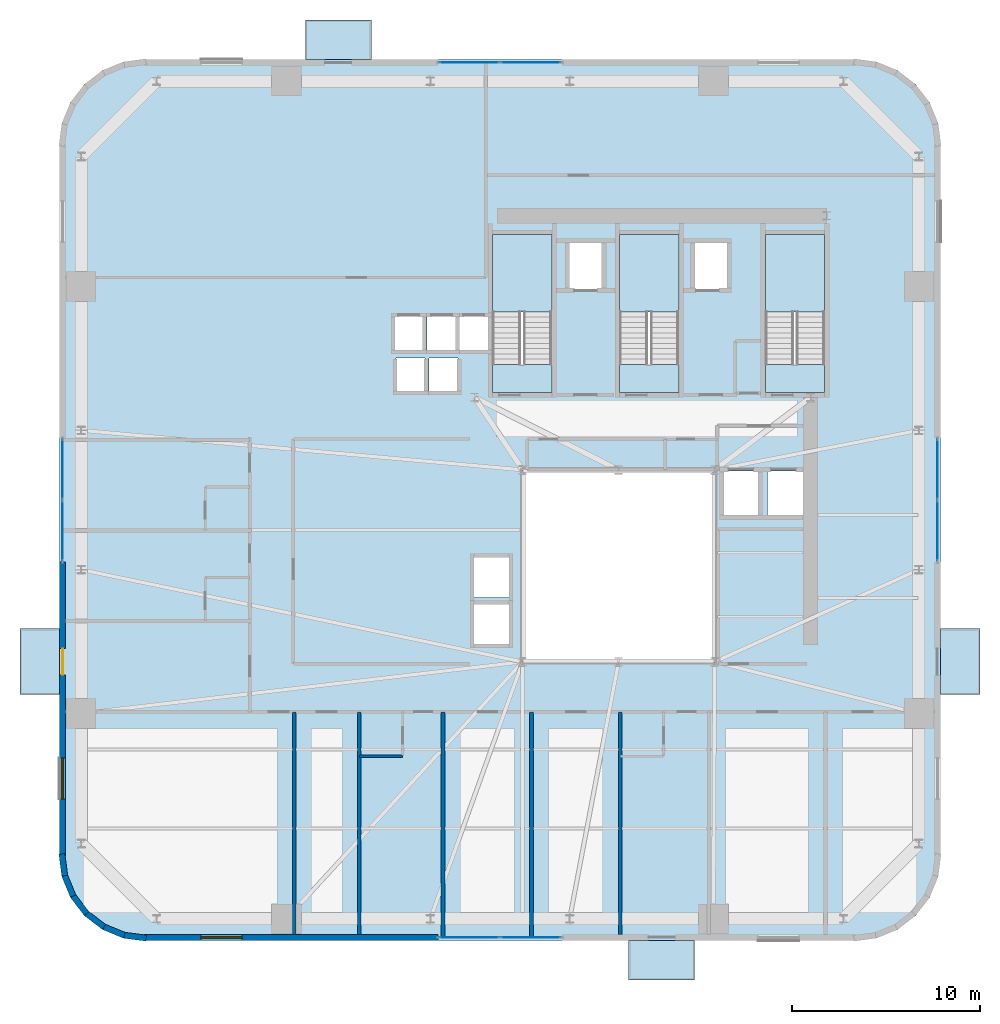
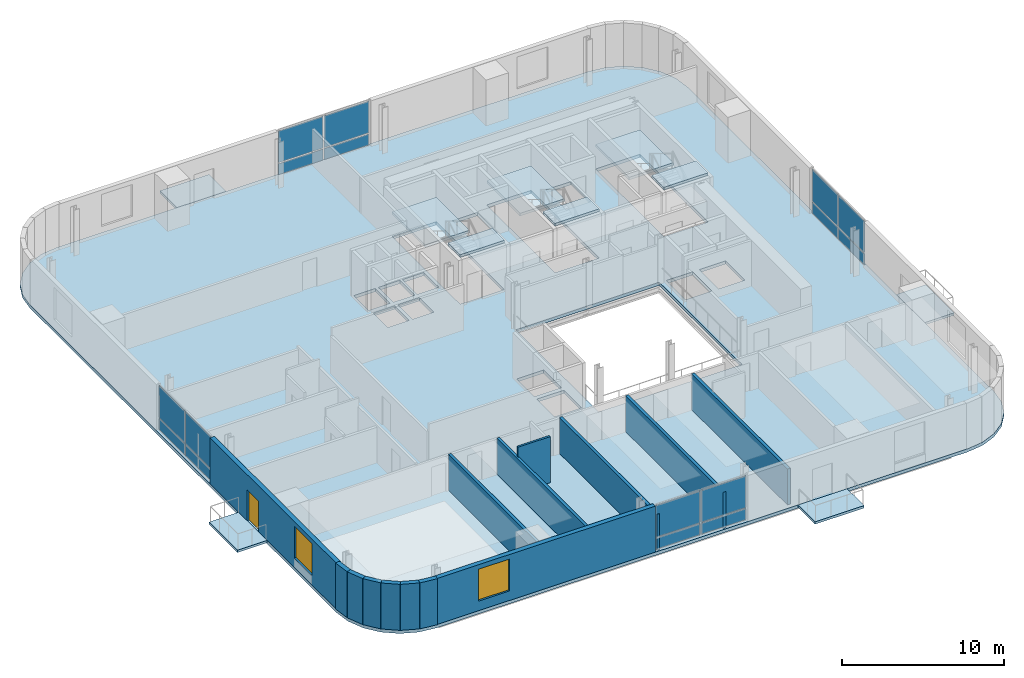
# One storey, part 5 of 14: 16 plates, 14 walls, 11 slabs, 2 windows, 1 door, 3 openings, 7 elements without a shape of their own.
"""IFC4 building model written with IfcOpenShell, lengths in metres."""

from ifc_helpers import new_model, si_unit, direction, frame, frame_2d, origin, origin_2d, place, context, subcontext, project, spatial, polyline, rectangle, outline, extrude, source, transform, mapped, material, layer, layer_set, type_object, element, fill, aggregate, save


model = new_model("IFC4")

# Units and contexts
model_context = context("Model", 3, precision=1e-05, world=origin(), true_north=direction((0.0, 1.0)))
body_context = subcontext(model_context, "Body", "Model", "MODEL_VIEW")
ifc_project = project(units=[si_unit("LENGTHUNIT", "METRE"), si_unit("AREAUNIT", "SQUARE_METRE"), si_unit("VOLUMEUNIT", "CUBIC_METRE"), si_unit("PLANEANGLEUNIT", "RADIAN"), si_unit("MASSUNIT", "GRAM", prefix="KILO")], contexts=[model_context])

# Site, building, storey
site_placement = place(None, origin())
site = spatial("IfcSite", under=ifc_project, at=site_placement, CompositionType="ELEMENT")
building_placement = place(site_placement, origin())
building = spatial("IfcBuilding", under=site, at=building_placement, Name="Vardaveli Station Tower", CompositionType="ELEMENT")
storey_placement = place(building_placement, frame((0.0, 0.0, 152.0)))
storey = spatial("IfcBuildingStorey", under=building, at=storey_placement, Name="L39", CompositionType="ELEMENT", Elevation=152.0)

# Stair, slabs
ifc_material_1 = material(Name="Concrete C40/50", Category="concrete")
stair_type = type_object("IfcStairType", Name="STR-CORE-1500", PredefinedType="HALF_TURN_STAIR", material=ifc_material_1)
stair_1_placement = place(storey_placement, origin())
stair_1 = element("IfcStair", 1, at=stair_1_placement, inside=storey, type_object=stair_type, Name="L39 ST-1", PredefinedType="HALF_TURN_STAIR")
ifc_layer_1 = layer(ifc_material_1, 0.199951171875, Name="Concrete C40/50")
ifc_layer_set_1 = layer_set([ifc_layer_1], Name="Concrete C40/50")
slab_type_1 = type_object("IfcSlabType", Name="SLB-LAND-200", PredefinedType="LANDING", material=ifc_layer_set_1)
slab_1_placement = place(storey_placement, frame((0.0, 0.0, 1.64990234375)))
slab_1 = element("IfcSlab", 2, at=slab_1_placement, type_object=slab_type_1, Name="ST-1 landing 1", PredefinedType="LANDING", context=body_context, shape_type="SweptSolid", body=[
    extrude(outline(polyline([(32.75, 35.199951171875), (32.75, 39.300048828125), (29.60009765625, 39.300048828125), (29.60009765625, 35.199951171875), (32.75, 35.199951171875)])), origin(), (0.0, 0.0, 1.0), 0.2001953125),
])
slab_2_placement = place(storey_placement, frame((0.0, 0.0, 3.5)))
slab_2 = element("IfcSlab", 3, at=slab_2_placement, type_object=slab_type_1, Name="ST-1 landing 2", PredefinedType="LANDING", context=body_context, shape_type="SweptSolid", body=[
    extrude(outline(polyline([(32.75, 30.89990234375), (32.75, 32.39990234375), (29.60009765625, 32.39990234375), (29.60009765625, 30.89990234375), (32.75, 30.89990234375)])), origin(), (0.0, 0.0, 1.0), 0.199951171875),
])
aggregate(stair_1, [slab_1, slab_2])

stair_2_placement = place(storey_placement, origin())
stair_2 = element("IfcStair", 4, at=stair_2_placement, inside=storey, type_object=stair_type, Name="L39 ST-2", PredefinedType="HALF_TURN_STAIR")
slab_3_placement = place(storey_placement, frame((0.0, 0.0, 1.64990234375)))
slab_3 = element("IfcSlab", 5, at=slab_3_placement, type_object=slab_type_1, Name="ST-2 landing 1", PredefinedType="LANDING", context=body_context, shape_type="SweptSolid", body=[
    extrude(outline(polyline([(39.5, 35.199951171875), (39.5, 39.300048828125), (36.35009765625, 39.300048828125), (36.35009765625, 35.199951171875), (39.5, 35.199951171875)])), origin(), (0.0, 0.0, 1.0), 0.2001953125),
])
slab_4_placement = place(storey_placement, frame((0.0, 0.0, 3.5)))
slab_4 = element("IfcSlab", 6, at=slab_4_placement, type_object=slab_type_1, Name="ST-2 landing 2", PredefinedType="LANDING", context=body_context, shape_type="SweptSolid", body=[
    extrude(outline(polyline([(39.5, 30.89990234375), (39.5, 32.39990234375), (36.35009765625, 32.39990234375), (36.35009765625, 30.89990234375), (39.5, 30.89990234375)])), origin(), (0.0, 0.0, 1.0), 0.199951171875),
])
aggregate(stair_2, [slab_3, slab_4])

stair_3_placement = place(storey_placement, origin())
stair_3 = element("IfcStair", 7, at=stair_3_placement, inside=storey, type_object=stair_type, Name="L39 ST-3", PredefinedType="HALF_TURN_STAIR")
slab_5_placement = place(storey_placement, frame((0.0, 0.0, 1.64990234375)))
slab_5 = element("IfcSlab", 8, at=slab_5_placement, type_object=slab_type_1, Name="ST-3 landing 1", PredefinedType="LANDING", context=body_context, shape_type="SweptSolid", body=[
    extrude(outline(polyline([(47.25, 35.199951171875), (47.25, 39.300048828125), (44.10009765625, 39.300048828125), (44.10009765625, 35.199951171875), (47.25, 35.199951171875)])), origin(), (0.0, 0.0, 1.0), 0.2001953125),
])
slab_6_placement = place(storey_placement, frame((0.0, 0.0, 3.5)))
slab_6 = element("IfcSlab", 9, at=slab_6_placement, type_object=slab_type_1, Name="ST-3 landing 2", PredefinedType="LANDING", context=body_context, shape_type="SweptSolid", body=[
    extrude(outline(polyline([(47.25, 30.89990234375), (47.25, 32.39990234375), (44.10009765625, 32.39990234375), (44.10009765625, 30.89990234375), (47.25, 30.89990234375)])), origin(), (0.0, 0.0, 1.0), 0.199951171875),
])
aggregate(stair_3, [slab_5, slab_6])

# Slabs
ifc_material_2 = material(Name="Precast concrete C45/55", Category="concrete")
ifc_layer_2 = layer(ifc_material_2, 0.179931640625, Name="Precast concrete C45/55")
ifc_layer_set_2 = layer_set([ifc_layer_2], Name="Precast concrete C45/55")
slab_type_2 = type_object("IfcSlabType", Name="SLB-LOGGIA-180", PredefinedType="FLOOR", material=ifc_layer_set_2)
slab_7_placement = place(storey_placement, frame((0.0, 0.0, -0.179931640625)))
element("IfcSlab", 10, at=slab_7_placement, inside=storey, type_object=slab_type_2, Name="LOG-L39-S", PredefinedType="FLOOR", context=body_context, shape_type="SweptSolid", body=[
    extrude(outline(polyline([(36.839599609375, -0.300048828125), (40.339599609375, -0.300048828125), (40.339599609375, 1.800048828125), (36.839599609375, 1.800048828125), (36.839599609375, -0.300048828125)])), origin(), (0.0, 0.0, 1.0), 0.179931640625),
])
slab_8_placement = place(storey_placement, frame((0.0, 0.0, -0.179931640625)))
element("IfcSlab", 11, at=slab_8_placement, inside=storey, type_object=slab_type_2, Name="LOG-L39-N", PredefinedType="FLOOR", context=body_context, shape_type="SweptSolid", body=[
    extrude(outline(polyline([(19.660400390625, 48.60009765625), (23.160400390625, 48.60009765625), (23.160400390625, 50.699951171875), (19.660400390625, 50.699951171875), (19.660400390625, 48.60009765625)])), origin(), (0.0, 0.0, 1.0), 0.179931640625),
])
slab_9_placement = place(storey_placement, frame((0.0, 0.0, -0.179931640625)))
element("IfcSlab", 12, at=slab_9_placement, inside=storey, type_object=slab_type_2, Name="LOG-L39-W", PredefinedType="FLOOR", context=body_context, shape_type="SweptSolid", body=[
    extrude(outline(polyline([(4.5, 14.8603515625), (6.60009765625, 14.8603515625), (6.60009765625, 18.3603515625), (4.5, 18.3603515625), (4.5, 14.8603515625)])), origin(), (0.0, 0.0, 1.0), 0.179931640625),
])
slab_10_placement = place(storey_placement, frame((0.0, 0.0, -0.179931640625)))
element("IfcSlab", 13, at=slab_10_placement, inside=storey, type_object=slab_type_2, Name="LOG-L39-E", PredefinedType="FLOOR", context=body_context, shape_type="SweptSolid", body=[
    extrude(outline(polyline([(53.39990234375, 14.8603515625), (55.5, 14.8603515625), (55.5, 18.3603515625), (53.39990234375, 18.3603515625), (53.39990234375, 14.8603515625)])), origin(), (0.0, 0.0, 1.0), 0.179931640625),
])
ifc_layer_3 = layer(ifc_material_1, 0.239990234375, Name="Concrete C40/50")
ifc_layer_set_3 = layer_set([ifc_layer_3], Name="Concrete C40/50")
slab_type_3 = type_object("IfcSlabType", Name="SLB-TOW-240", PredefinedType="FLOOR", material=ifc_layer_set_3)
slab_11_placement = place(storey_placement, frame((0.0, 0.0, -0.239990234375)))
element("IfcSlab", 14, at=slab_11_placement, inside=storey, type_object=slab_type_3, Name="SLB-L39-MAIN", PredefinedType="FLOOR", context=body_context, shape_type="SweptSolid", body=[
    extrude(outline(polyline([(6.60009765625, 6.300048828125), (6.75341796875, 5.13525390625), (7.202880859375, 4.050048828125), (7.91796875, 3.117919921875), (8.85009765625, 2.40283203125), (9.935302734375, 1.953369140625), (11.10009765625, 1.800048828125), (48.89990234375, 1.800048828125), (50.064697265625, 1.953369140625), (51.14990234375, 2.40283203125), (52.08203125, 3.117919921875), (52.797119140625, 4.050048828125), (53.24658203125, 5.13525390625), (53.39990234375, 6.300048828125), (53.39990234375, 44.10009765625), (53.24658203125, 45.2646484375), (52.797119140625, 46.35009765625), (52.08203125, 47.281982421875), (51.14990234375, 47.9970703125), (50.064697265625, 48.44677734375), (48.89990234375, 48.60009765625), (11.10009765625, 48.60009765625), (9.935302734375, 48.44677734375), (8.85009765625, 47.9970703125), (7.91796875, 47.281982421875), (7.202880859375, 46.35009765625), (6.75341796875, 45.2646484375), (6.60009765625, 44.10009765625), (6.60009765625, 6.300048828125)]), holes=[polyline([(31.199951171875, 16.60009765625), (41.39990234375, 16.60009765625), (41.39990234375, 26.800048828125), (31.199951171875, 26.800048828125), (31.199951171875, 16.60009765625)]), polyline([(32.75, 30.89990234375), (32.75, 39.300048828125), (29.60009765625, 39.300048828125), (29.60009765625, 30.89990234375), (32.75, 30.89990234375)]), polyline([(39.5, 30.89990234375), (39.5, 39.300048828125), (36.35009765625, 39.300048828125), (36.35009765625, 30.89990234375), (39.5, 30.89990234375)]), polyline([(47.25, 30.89990234375), (47.25, 39.300048828125), (44.10009765625, 39.300048828125), (44.10009765625, 30.89990234375), (47.25, 30.89990234375)]), polyline([(24.385009765625, 33.135009765625), (25.9150390625, 33.135009765625), (25.9150390625, 34.965087890625), (24.385009765625, 34.965087890625), (24.385009765625, 33.135009765625)]), polyline([(26.135009765625, 33.135009765625), (27.6650390625, 33.135009765625), (27.6650390625, 34.965087890625), (26.135009765625, 34.965087890625), (26.135009765625, 33.135009765625)]), polyline([(27.8349609375, 33.135009765625), (29.364990234375, 33.135009765625), (29.364990234375, 34.965087890625), (27.8349609375, 34.965087890625), (27.8349609375, 33.135009765625)]), polyline([(33.659912109375, 36.409912109375), (35.43994140625, 36.409912109375), (35.43994140625, 38.889892578125), (33.659912109375, 38.889892578125), (33.659912109375, 36.409912109375)]), polyline([(40.31005859375, 36.409912109375), (42.090087890625, 36.409912109375), (42.090087890625, 38.889892578125), (40.31005859375, 38.889892578125), (40.31005859375, 36.409912109375)]), polyline([(24.485107421875, 30.9599609375), (26.014892578125, 30.9599609375), (26.014892578125, 32.739990234375), (24.485107421875, 32.739990234375), (24.485107421875, 30.9599609375)]), polyline([(26.235107421875, 30.9599609375), (27.764892578125, 30.9599609375), (27.764892578125, 32.739990234375), (26.235107421875, 32.739990234375), (26.235107421875, 30.9599609375)]), polyline([(28.5849609375, 17.510009765625), (30.514892578125, 17.510009765625), (30.514892578125, 19.68994140625), (28.5849609375, 19.68994140625), (28.5849609375, 17.510009765625)]), polyline([(28.5849609375, 20.010009765625), (30.514892578125, 20.010009765625), (30.514892578125, 22.18994140625), (28.5849609375, 22.18994140625), (28.5849609375, 20.010009765625)]), polyline([(41.860107421875, 24.360107421875), (43.739990234375, 24.360107421875), (43.739990234375, 26.739990234375), (41.860107421875, 26.739990234375), (41.860107421875, 24.360107421875)]), polyline([(44.2099609375, 24.360107421875), (46.090087890625, 24.360107421875), (46.090087890625, 26.739990234375), (44.2099609375, 26.739990234375), (44.2099609375, 24.360107421875)])]), origin(), (0.0, 0.0, 1.0), 0.239990234375),
])

# Curtain wall, plates
ifc_material_3 = material(Name="Travertine stone and solar-control glass", Category="masonry")
curtain_wall_type = type_object("IfcCurtainWallType", Name="CW-SYS-2", PredefinedType="NOTDEFINED", material=ifc_material_3)
curtain_wall_1_placement = place(storey_placement, origin())
curtain_wall_1 = element("IfcCurtainWall", 15, at=curtain_wall_1_placement, inside=storey, type_object=curtain_wall_type, Name="CW-L39-S", PredefinedType="NOTDEFINED")
ifc_material_4 = material(Name="Double-glazed low-E solar-control glass", Category="glass")
ifc_layer_4 = layer(ifc_material_4, 0.035888671875, Name="Double-glazed low-E solar-control glass")
ifc_layer_set_4 = layer_set([ifc_layer_4], Name="Double-glazed low-E solar-control glass")
plate_type = type_object("IfcPlateType", Name="CW-SYS-2-PAN", PredefinedType="CURTAIN_PANEL", material=ifc_layer_set_4)
shared_shape_1 = source(origin(), body_context, "Body", "SweptSolid", [
    extrude(rectangle(XDim=3.172607421875, YDim=0.035888671875, at=origin_2d()), origin(), (0.0, 0.0, 1.0), 0.822509765625),
])
plate_1_placement = place(storey_placement, frame((28.371337890625, 1.9599609375, 0.0849609375), z_axis=(0.0, 0.0, 1.0), x_axis=(1.0, 0.0, 0.0)))
plate_1 = element("IfcPlate", 16, at=plate_1_placement, type_object=plate_type, Name="CW-2 panel 1.1", PredefinedType="CURTAIN_PANEL", context=body_context, shape_type="MappedRepresentation", body=[
    mapped(shared_shape_1, transform((0.0, 0.0, 0.0), scale=1.0)),
])
plate_2_placement = place(storey_placement, frame((31.628662109375, 1.9599609375, 0.0849609375), z_axis=(0.0, 0.0, 1.0), x_axis=(1.0, 0.0, 0.0)))
plate_2 = element("IfcPlate", 17, at=plate_2_placement, type_object=plate_type, Name="CW-2 panel 2.1", PredefinedType="CURTAIN_PANEL", context=body_context, shape_type="MappedRepresentation", body=[
    mapped(shared_shape_1, transform((0.0, 0.0, 0.0), scale=1.0)),
])

curtain_wall_2_placement = place(storey_placement, origin())
curtain_wall_2 = element("IfcCurtainWall", 18, at=curtain_wall_2_placement, inside=storey, type_object=curtain_wall_type, Name="CW-L39-N", PredefinedType="NOTDEFINED")
plate_3_placement = place(storey_placement, frame((31.628662109375, 48.43994140625, 0.0849609375), z_axis=(0.0, 0.0, 1.0), x_axis=(-1.0, 0.0, 0.0)))
plate_3 = element("IfcPlate", 19, at=plate_3_placement, type_object=plate_type, Name="CW-2 panel 1.1", PredefinedType="CURTAIN_PANEL", context=body_context, shape_type="MappedRepresentation", body=[
    mapped(shared_shape_1, transform((0.0, 0.0, 0.0), scale=1.0)),
])
plate_4_placement = place(storey_placement, frame((28.371337890625, 48.43994140625, 0.0849609375), z_axis=(0.0, 0.0, 1.0), x_axis=(-1.0, 0.0, 0.0)))
plate_4 = element("IfcPlate", 20, at=plate_4_placement, type_object=plate_type, Name="CW-2 panel 2.1", PredefinedType="CURTAIN_PANEL", context=body_context, shape_type="MappedRepresentation", body=[
    mapped(shared_shape_1, transform((0.0, 0.0, 0.0), scale=1.0)),
])

curtain_wall_3_placement = place(storey_placement, origin())
curtain_wall_3 = element("IfcCurtainWall", 21, at=curtain_wall_3_placement, inside=storey, type_object=curtain_wall_type, Name="CW-L39-W", PredefinedType="NOTDEFINED")
plate_5_placement = place(storey_placement, frame((6.760009765625, 26.828857421875, 0.0849609375), z_axis=(0.0, 0.0, 1.0), x_axis=(0.0, -1.0, 0.0)))
plate_5 = element("IfcPlate", 22, at=plate_5_placement, type_object=plate_type, Name="CW-2 panel 1.1", PredefinedType="CURTAIN_PANEL", context=body_context, shape_type="MappedRepresentation", body=[
    mapped(shared_shape_1, transform((0.0, 0.0, 0.0), scale=1.0)),
])
plate_6_placement = place(storey_placement, frame((6.760009765625, 23.5712890625, 0.0849609375), z_axis=(0.0, 0.0, 1.0), x_axis=(0.0, -1.0, 0.0)))
plate_6 = element("IfcPlate", 23, at=plate_6_placement, type_object=plate_type, Name="CW-2 panel 2.1", PredefinedType="CURTAIN_PANEL", context=body_context, shape_type="MappedRepresentation", body=[
    mapped(shared_shape_1, transform((0.0, 0.0, 0.0), scale=1.0)),
])

curtain_wall_4_placement = place(storey_placement, origin())
curtain_wall_4 = element("IfcCurtainWall", 24, at=curtain_wall_4_placement, inside=storey, type_object=curtain_wall_type, Name="CW-L39-E", PredefinedType="NOTDEFINED")
plate_7_placement = place(storey_placement, frame((53.239990234375, 23.5712890625, 0.0849609375), z_axis=(0.0, 0.0, 1.0), x_axis=(0.0, 1.0, 0.0)))
plate_7 = element("IfcPlate", 25, at=plate_7_placement, type_object=plate_type, Name="CW-2 panel 1.1", PredefinedType="CURTAIN_PANEL", context=body_context, shape_type="MappedRepresentation", body=[
    mapped(shared_shape_1, transform((0.0, 0.0, 0.0), scale=1.0)),
])
plate_8_placement = place(storey_placement, frame((53.239990234375, 26.828857421875, 0.0849609375), z_axis=(0.0, 0.0, 1.0), x_axis=(0.0, 1.0, 0.0)))
plate_8 = element("IfcPlate", 26, at=plate_8_placement, type_object=plate_type, Name="CW-2 panel 2.1", PredefinedType="CURTAIN_PANEL", context=body_context, shape_type="MappedRepresentation", body=[
    mapped(shared_shape_1, transform((0.0, 0.0, 0.0), scale=1.0)),
])

# Plate
shared_shape_2 = source(origin(), body_context, "Body", "SweptSolid", [
    extrude(rectangle(XDim=3.172607421875, YDim=0.035888671875, at=origin_2d()), origin(), (0.0, 0.0, 1.0), 2.382568359375),
])
plate_9_placement = place(storey_placement, frame((28.371337890625, 1.9599609375, 0.99267578125), z_axis=(0.0, 0.0, 1.0), x_axis=(1.0, 0.0, 0.0)))
plate_9 = element("IfcPlate", 27, at=plate_9_placement, type_object=plate_type, Name="CW-2 panel 1.2", PredefinedType="CURTAIN_PANEL", context=body_context, shape_type="MappedRepresentation", body=[
    mapped(shared_shape_2, transform((0.0, 0.0, 0.0), scale=1.0)),
])

plate_10_placement = place(storey_placement, frame((31.628662109375, 1.9599609375, 0.99267578125), z_axis=(0.0, 0.0, 1.0), x_axis=(1.0, 0.0, 0.0)))
plate_10 = element("IfcPlate", 28, at=plate_10_placement, type_object=plate_type, Name="CW-2 panel 2.2", PredefinedType="CURTAIN_PANEL", context=body_context, shape_type="MappedRepresentation", body=[
    mapped(shared_shape_2, transform((0.0, 0.0, 0.0), scale=1.0)),
])

aggregate(curtain_wall_1, [plate_1, plate_9, plate_2, plate_10])

plate_11_placement = place(storey_placement, frame((31.628662109375, 48.43994140625, 0.99267578125), z_axis=(0.0, 0.0, 1.0), x_axis=(-1.0, 0.0, 0.0)))
plate_11 = element("IfcPlate", 29, at=plate_11_placement, type_object=plate_type, Name="CW-2 panel 1.2", PredefinedType="CURTAIN_PANEL", context=body_context, shape_type="MappedRepresentation", body=[
    mapped(shared_shape_2, transform((0.0, 0.0, 0.0), scale=1.0)),
])

plate_12_placement = place(storey_placement, frame((28.371337890625, 48.43994140625, 0.99267578125), z_axis=(0.0, 0.0, 1.0), x_axis=(-1.0, 0.0, 0.0)))
plate_12 = element("IfcPlate", 30, at=plate_12_placement, type_object=plate_type, Name="CW-2 panel 2.2", PredefinedType="CURTAIN_PANEL", context=body_context, shape_type="MappedRepresentation", body=[
    mapped(shared_shape_2, transform((0.0, 0.0, 0.0), scale=1.0)),
])

aggregate(curtain_wall_2, [plate_3, plate_11, plate_4, plate_12])

plate_13_placement = place(storey_placement, frame((6.760009765625, 26.828857421875, 0.99267578125), z_axis=(0.0, 0.0, 1.0), x_axis=(0.0, -1.0, 0.0)))
plate_13 = element("IfcPlate", 31, at=plate_13_placement, type_object=plate_type, Name="CW-2 panel 1.2", PredefinedType="CURTAIN_PANEL", context=body_context, shape_type="MappedRepresentation", body=[
    mapped(shared_shape_2, transform((0.0, 0.0, 0.0), scale=1.0)),
])

plate_14_placement = place(storey_placement, frame((6.760009765625, 23.5712890625, 0.99267578125), z_axis=(0.0, 0.0, 1.0), x_axis=(0.0, -1.0, 0.0)))
plate_14 = element("IfcPlate", 32, at=plate_14_placement, type_object=plate_type, Name="CW-2 panel 2.2", PredefinedType="CURTAIN_PANEL", context=body_context, shape_type="MappedRepresentation", body=[
    mapped(shared_shape_2, transform((0.0, 0.0, 0.0), scale=1.0)),
])

aggregate(curtain_wall_3, [plate_5, plate_13, plate_6, plate_14])

plate_15_placement = place(storey_placement, frame((53.239990234375, 23.5712890625, 0.99267578125), z_axis=(0.0, 0.0, 1.0), x_axis=(0.0, 1.0, 0.0)))
plate_15 = element("IfcPlate", 33, at=plate_15_placement, type_object=plate_type, Name="CW-2 panel 1.2", PredefinedType="CURTAIN_PANEL", context=body_context, shape_type="MappedRepresentation", body=[
    mapped(shared_shape_2, transform((0.0, 0.0, 0.0), scale=1.0)),
])

plate_16_placement = place(storey_placement, frame((53.239990234375, 26.828857421875, 0.99267578125), z_axis=(0.0, 0.0, 1.0), x_axis=(0.0, 1.0, 0.0)))
plate_16 = element("IfcPlate", 34, at=plate_16_placement, type_object=plate_type, Name="CW-2 panel 2.2", PredefinedType="CURTAIN_PANEL", context=body_context, shape_type="MappedRepresentation", body=[
    mapped(shared_shape_2, transform((0.0, 0.0, 0.0), scale=1.0)),
])

aggregate(curtain_wall_4, [plate_7, plate_15, plate_8, plate_16])

# Wall, opening, window
ifc_layer_5 = layer(ifc_material_2, 0.320068359375, Name="Precast concrete C45/55")
ifc_layer_set_5 = layer_set([ifc_layer_5], Name="Precast concrete C45/55")
wall_type_1 = type_object("IfcWallType", Name="WAL-EXT-STONE-320", PredefinedType="SOLIDWALL", material=ifc_layer_set_5)
shared_shape_3 = source(origin(), body_context, "Body", "SweptSolid", [
    extrude(rectangle(XDim=15.599853515625, YDim=0.320068359375, at=frame_2d((7.7998046875, 0.0))), origin(), (0.0, 0.0, 1.0), 3.4599609375),
])
wall_1_placement = place(storey_placement, frame((11.10009765625, 1.9599609375, 0.0), z_axis=(0.0, 0.0, 1.0), x_axis=(1.0, 0.0, 0.0)))
wall_1 = element("IfcWall", 35, at=wall_1_placement, inside=storey, type_object=wall_type_1, Name="EW-L39-S1", PredefinedType="SOLIDWALL", context=body_context, shape_type="MappedRepresentation", body=[
    mapped(shared_shape_3, transform((0.0, 0.0, 0.0), scale=1.0)),
])
shared_shape_4 = source(origin(), body_context, "Body", "SweptSolid", [
    extrude(rectangle(XDim=2.199951171875, YDim=2.39990234375, at=frame_2d((1.10009765625, 1.199951171875))), frame((0.0, 0.169921875, 0.0), z_axis=(0.0, -1.0, 0.0), x_axis=(1.0, 0.0, 0.0)), (0.0, 0.0, 1.0), 0.340087890625),
])
opening_1_placement = place(wall_1_placement, frame((3.0048828125, 0.0, 0.719970703125)))
opening_1 = element("IfcOpeningElement", 36, at=opening_1_placement, cuts=wall_1, Name="Opening W-03", PredefinedType="OPENING", context=body_context, shape_type="MappedRepresentation", body=[
    mapped(shared_shape_4, transform((0.0, 0.0, 0.0), scale=1.0)),
])
ifc_material_5 = material(Name="Low-E solar-control glass", Category="glass")
window_type = type_object("IfcWindowType", Name="WIN-LOG-2200x2400", PartitioningType="SINGLE_PANEL", PredefinedType="WINDOW", material=ifc_material_5)
shared_shape_5 = source(origin(), body_context, "Body", "SweptSolid", [
    extrude(rectangle(XDim=2.199951171875, YDim=2.39990234375, at=frame_2d((1.10009765625, 1.199951171875))), frame((0.0, 0.030029296875, 0.0), z_axis=(0.0, -1.0, 0.0), x_axis=(1.0, 0.0, 0.0)), (0.0, 0.0, 1.0), 0.06005859375),
])
window_1_placement = place(opening_1_placement, origin())
window_1 = element("IfcWindow", 37, at=window_1_placement, inside=storey, type_object=window_type, Name="WN-L39-S1", OverallHeight=2.39990234375, OverallWidth=2.199951171875, PartitioningType="SINGLE_PANEL", PredefinedType="WINDOW", context=body_context, shape_type="MappedRepresentation", body=[
    mapped(shared_shape_5, transform((0.0, 0.0, 0.0), scale=1.0)),
])
fill(opening_1, window_1)

# Wall, openings, door, window
wall_2_placement = place(storey_placement, frame((6.760009765625, 21.89990234375, 0.0), z_axis=(0.0, 0.0, 1.0), x_axis=(0.0, -1.0, 0.0)))
wall_2 = element("IfcWall", 38, at=wall_2_placement, inside=storey, type_object=wall_type_1, Name="EW-L39-W2", PredefinedType="SOLIDWALL", context=body_context, shape_type="MappedRepresentation", body=[
    mapped(shared_shape_3, transform((0.0, 0.0, 0.0), scale=1.0)),
])
shared_shape_6 = source(origin(), body_context, "Body", "SweptSolid", [
    extrude(rectangle(XDim=1.39990234375, YDim=2.300048828125, at=frame_2d((0.699951171875, 1.14990234375))), frame((0.0, 0.169921875, 0.0), z_axis=(0.0, -1.0, 0.0), x_axis=(1.0, 0.0, 0.0)), (0.0, 0.0, 1.0), 0.340087890625),
])
opening_2_placement = place(wall_2_placement, frame((4.589599609375, 0.0, 0.0)))
opening_2 = element("IfcOpeningElement", 39, at=opening_2_placement, cuts=wall_2, Name="Opening D-09", PredefinedType="OPENING", context=body_context, shape_type="MappedRepresentation", body=[
    mapped(shared_shape_6, transform((0.0, 0.0, 0.0), scale=1.0)),
])
opening_3_placement = place(wall_2_placement, frame((10.39501953125, 0.0, 0.719970703125)))
opening_3 = element("IfcOpeningElement", 40, at=opening_3_placement, cuts=wall_2, Name="Opening W-03", PredefinedType="OPENING", context=body_context, shape_type="MappedRepresentation", body=[
    mapped(shared_shape_4, transform((0.0, 0.0, 0.0), scale=1.0)),
])
ifc_material_6 = material(Name="Thermally broken aluminium glass", Category="aluminium")
door_type = type_object("IfcDoorType", Name="DR-LOG-1400x2300", OperationType="DOUBLE_DOOR_SLIDING", PredefinedType="DOOR", material=ifc_material_6)
shared_shape_7 = source(origin(), body_context, "Body", "SweptSolid", [
    extrude(rectangle(XDim=1.39990234375, YDim=2.300048828125, at=frame_2d((0.699951171875, 1.14990234375))), frame((0.0, 0.02490234375, 0.0), z_axis=(0.0, -1.0, 0.0), x_axis=(1.0, 0.0, 0.0)), (0.0, 0.0, 1.0), 0.050048828125),
])
door_placement = place(opening_2_placement, frame((1.39990234375, 0.0, 0.0), z_axis=(0.0, 0.0, 1.0), x_axis=(-1.0, 0.0, 0.0)))
door = element("IfcDoor", 41, at=door_placement, inside=storey, type_object=door_type, Name="DLG-L39-W", OperationType="DOUBLE_DOOR_SLIDING", OverallHeight=2.300048828125, OverallWidth=1.39990234375, PredefinedType="DOOR", context=body_context, shape_type="MappedRepresentation", body=[
    mapped(shared_shape_7, transform((0.0, 0.0, 0.0), scale=1.0)),
])
fill(opening_2, door)
window_2_placement = place(opening_3_placement, origin())
window_2 = element("IfcWindow", 42, at=window_2_placement, inside=storey, type_object=window_type, Name="WN-L39-W2", OverallHeight=2.39990234375, OverallWidth=2.199951171875, PartitioningType="SINGLE_PANEL", PredefinedType="WINDOW", context=body_context, shape_type="MappedRepresentation", body=[
    mapped(shared_shape_5, transform((0.0, 0.0, 0.0), scale=1.0)),
])
fill(opening_3, window_2)

# Walls
shared_shape_8 = source(origin(), body_context, "Body", "SweptSolid", [
    extrude(rectangle(XDim=1.170654296875, YDim=0.320068359375, at=frame_2d((0.58544921875, 0.0))), origin(), (0.0, 0.0, 1.0), 3.4599609375),
])
wall_3_placement = place(storey_placement, frame((6.724365234375, 6.400634765625, 0.0), z_axis=(0.0, 0.0, 1.0), x_axis=(0.128269133229, -0.991739395941, 0.0)))
element("IfcWall", 43, at=wall_3_placement, inside=storey, type_object=wall_type_1, Name="EW-L39-CR1-1", PredefinedType="SOLIDWALL", context=body_context, shape_type="MappedRepresentation", body=[
    mapped(shared_shape_8, transform((0.0, 0.0, 0.0), scale=1.0)),
])
shared_shape_9 = source(origin(), body_context, "Body", "SweptSolid", [
    extrude(rectangle(XDim=1.1689453125, YDim=0.320068359375, at=frame_2d((0.58447265625, 0.0))), origin(), (0.0, 0.0, 1.0), 3.4599609375),
])
for number, where, z_axis, x_axis, name in (
    (44, (6.87451171875, 5.23974609375, 0.0), (0.0, 0.0, 1.0), (0.381127904695, -0.924522320046, 0.0), "EW-L39-CR1-2"),
    (45, (7.320068359375, 4.158935546875, 0.0), (0.0, 0.0, 1.0), (0.608387696831, -0.793639975269, 0.0), "EW-L39-CR1-3"),
):
    element("IfcWall", number, at=place(storey_placement, frame(where, z_axis=z_axis, x_axis=x_axis)), inside=storey, type_object=wall_type_1, Name=name, PredefinedType="SOLIDWALL", context=body_context, shape_type="MappedRepresentation", body=[
        mapped(shared_shape_9, transform((0.0, 0.0, 0.0), scale=1.0)),
    ])
shared_shape_10 = source(origin(), body_context, "Body", "SweptSolid", [
    extrude(rectangle(XDim=1.168701171875, YDim=0.320068359375, at=frame_2d((0.58447265625, 0.0))), origin(), (0.0, 0.0, 1.0), 3.4599609375),
])
wall_4_placement = place(storey_placement, frame((8.03125, 3.231201171875, 0.0), z_axis=(0.0, 0.0, 1.0), x_axis=(0.793663520347, -0.608356981114, 0.0)))
element("IfcWall", 46, at=wall_4_placement, inside=storey, type_object=wall_type_1, Name="EW-L39-CR1-4", PredefinedType="SOLIDWALL", context=body_context, shape_type="MappedRepresentation", body=[
    mapped(shared_shape_10, transform((0.0, 0.0, 0.0), scale=1.0)),
])
shared_shape_11 = source(origin(), body_context, "Body", "SweptSolid", [
    extrude(rectangle(XDim=1.16943359375, YDim=0.320068359375, at=frame_2d((0.584716796875, 0.0))), origin(), (0.0, 0.0, 1.0), 3.4599609375),
])
wall_5_placement = place(storey_placement, frame((8.958740234375, 2.520263671875, 0.0), z_axis=(0.0, 0.0, 1.0), x_axis=(0.924479075121, -0.381232789334, 0.0)))
element("IfcWall", 47, at=wall_5_placement, inside=storey, type_object=wall_type_1, Name="EW-L39-CR1-5", PredefinedType="SOLIDWALL", context=body_context, shape_type="MappedRepresentation", body=[
    mapped(shared_shape_11, transform((0.0, 0.0, 0.0), scale=1.0)),
])
shared_shape_12 = source(origin(), body_context, "Body", "SweptSolid", [
    extrude(rectangle(XDim=1.170166015625, YDim=0.320068359375, at=frame_2d((0.5849609375, 0.0))), origin(), (0.0, 0.0, 1.0), 3.4599609375),
])
wall_6_placement = place(storey_placement, frame((10.039794921875, 2.074462890625, 0.0), z_axis=(0.0, 0.0, 1.0), x_axis=(0.991762485493, -0.128090485085, 0.0)))
element("IfcWall", 48, at=wall_6_placement, inside=storey, type_object=wall_type_1, Name="EW-L39-CR1-6", PredefinedType="SOLIDWALL", context=body_context, shape_type="MappedRepresentation", body=[
    mapped(shared_shape_12, transform((0.0, 0.0, 0.0), scale=1.0)),
])
ifc_material_7 = material(Name="Acoustic twin-stud gypsum partition")
ifc_layer_6 = layer(ifc_material_7, 0.199951171875, Name="Acoustic twin-stud gypsum partition")
ifc_layer_set_6 = layer_set([ifc_layer_6], Name="Acoustic twin-stud gypsum partition")
wall_type_2 = type_object("IfcWallType", Name="WAL-PARTY-200", PredefinedType="PARTITIONING", material=ifc_layer_set_6)
shared_shape_13 = source(origin(), body_context, "Body", "SweptSolid", [
    extrude(rectangle(XDim=11.827880859375, YDim=0.199951171875, at=frame_2d((5.9140625, 0.0))), origin(), (0.0, 0.0, 1.0), 2.701904296875),
])
for number, where, z_axis, x_axis, name in (
    (49, (19.070068359375, 2.1220703125, 0.0), (0.0, 0.0, 1.0), (0.0, 1.0, 0.0), "W-L39-PS1"),
    (50, (22.52001953125, 2.1220703125, 0.0), (0.0, 0.0, 1.0), (0.0, 1.0, 0.0), "W-L39-PS2"),
    (51, (36.382080078125, 2.1220703125, 0.0), (0.0, 0.0, 1.0), (0.0, 1.0, 0.0), "W-L39-PS5"),
):
    element("IfcWall", number, at=place(storey_placement, frame(where, z_axis=z_axis, x_axis=x_axis)), inside=storey, type_object=wall_type_2, Name=name, PredefinedType="PARTITIONING", context=body_context, shape_type="MappedRepresentation", body=[
        mapped(shared_shape_13, transform((0.0, 0.0, 0.0), scale=1.0)),
    ])
shared_shape_14 = source(origin(), body_context, "Body", "SweptSolid", [
    extrude(rectangle(XDim=12.02001953125, YDim=0.199951171875, at=frame_2d((6.010009765625, 0.0))), origin(), (0.0, 0.0, 1.0), 2.701904296875),
])
for number, where, z_axis, x_axis, name in (
    (52, (26.97607421875, 1.929931640625, 0.0), (0.0, 0.0, 1.0), (0.0, 1.0, 0.0), "W-L39-PS3"),
    (53, (31.678955078125, 1.929931640625, 0.0), (0.0, 0.0, 1.0), (0.0, 1.0, 0.0), "W-L39-PS4"),
):
    element("IfcWall", number, at=place(storey_placement, frame(where, z_axis=z_axis, x_axis=x_axis)), inside=storey, type_object=wall_type_2, Name=name, PredefinedType="PARTITIONING", context=body_context, shape_type="MappedRepresentation", body=[
        mapped(shared_shape_14, transform((0.0, 0.0, 0.0), scale=1.0)),
    ])
ifc_material_8 = material(Name="Moisture-resistant stud partition")
ifc_layer_7 = layer(ifc_material_8, 0.14990234375, Name="Moisture-resistant stud partition")
ifc_layer_set_7 = layer_set([ifc_layer_7], Name="Moisture-resistant stud partition")
wall_type_3 = type_object("IfcWallType", Name="WAL-WET-150", PredefinedType="PARTITIONING", material=ifc_layer_set_7)
shared_shape_15 = source(origin(), body_context, "Body", "SweptSolid", [
    extrude(rectangle(XDim=2.2900390625, YDim=0.14990234375, at=frame_2d((1.14501953125, 0.0))), origin(), (0.0, 0.0, 1.0), 3.4599609375),
])
wall_7_placement = place(storey_placement, frame((22.5400390625, 11.590087890625, 0.0), z_axis=(0.0, 0.0, 1.0), x_axis=(1.0, 0.0, 0.0)))
element("IfcWall", 54, at=wall_7_placement, inside=storey, type_object=wall_type_3, Name="W-L39-BS3-S", PredefinedType="PARTITIONING", context=body_context, shape_type="MappedRepresentation", body=[
    mapped(shared_shape_15, transform((0.0, 0.0, 0.0), scale=1.0)),
])

save(model, "model.ifc")
